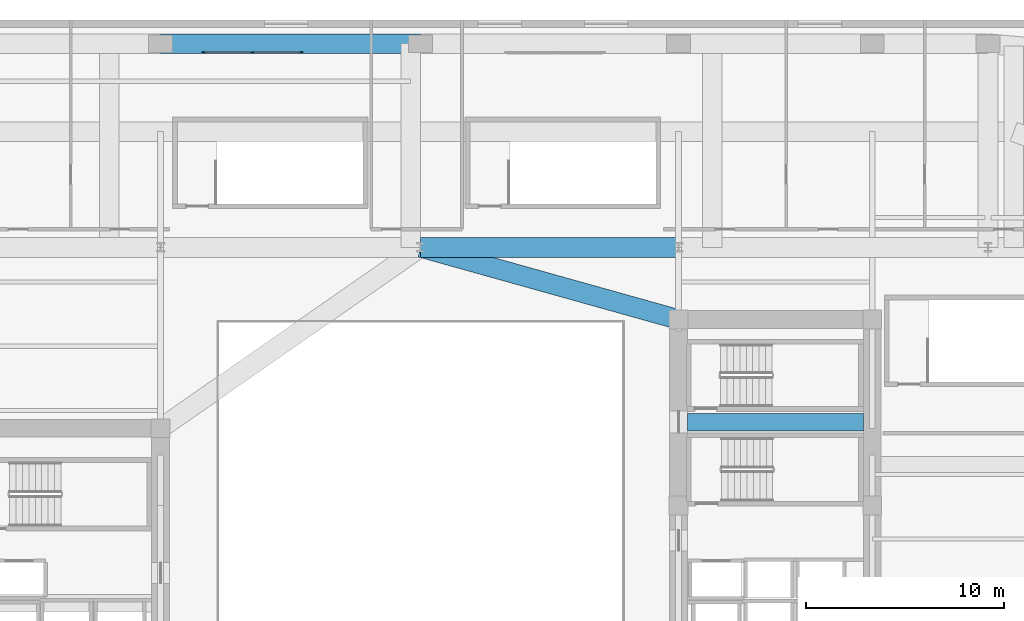
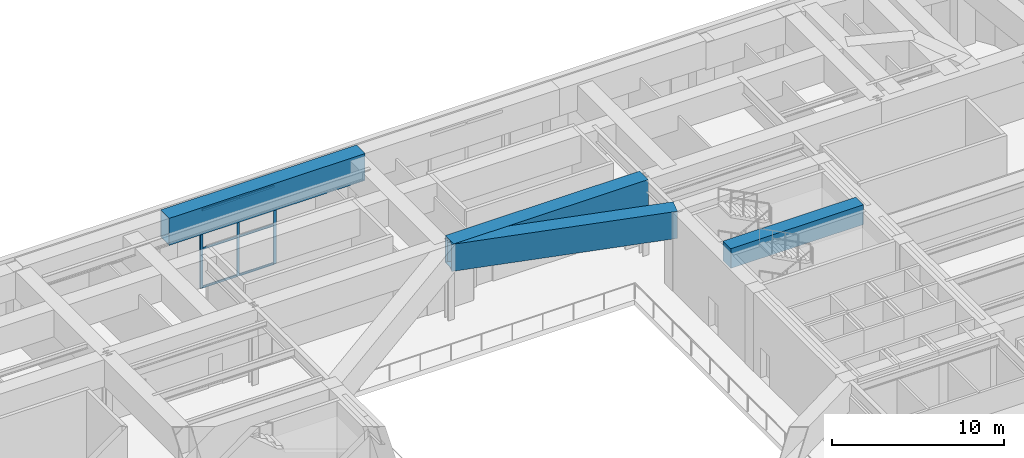
# One storey, part 3 of 16: 9 members, 4 beams, 1 element without a shape of its own.
"""IFC4 building model written with IfcOpenShell, lengths in metres."""

from ifc_helpers import new_model, si_unit, direction, frame, origin, origin_2d, place, context, subcontext, project, spatial, rectangle, hollow_rectangle, extrude, material, material_profile, profile_set, type_object, element, aggregate, save


model = new_model("IFC4")

# Units and contexts
model_context = context("Model", 3, precision=1e-05, world=origin(), true_north=direction((0.0, 1.0)))
body_context = subcontext(model_context, "Body", "Model", "MODEL_VIEW")
ifc_project = project(units=[si_unit("LENGTHUNIT", "METRE"), si_unit("AREAUNIT", "SQUARE_METRE"), si_unit("VOLUMEUNIT", "CUBIC_METRE"), si_unit("PLANEANGLEUNIT", "RADIAN"), si_unit("MASSUNIT", "GRAM", prefix="KILO")], contexts=[model_context])

# Site, building, storey
site_placement = place(None, origin())
site = spatial("IfcSite", under=ifc_project, at=site_placement, CompositionType="ELEMENT")
building_placement = place(site_placement, origin())
building = spatial("IfcBuilding", under=site, at=building_placement, Name="Kolvaren Arena Tower", CompositionType="ELEMENT")
storey_placement = place(building_placement, frame((0.0, 0.0, 28.0)))
storey = spatial("IfcBuildingStorey", under=building, at=storey_placement, Name="L05", CompositionType="ELEMENT", Elevation=28.0)

# Beam
ifc_material_1 = material(Name="Concrete 75 MPa", Category="concrete")
ifc_material_profile_1 = material_profile(ifc_material_1, rectangle(XDim=0.89990234375, YDim=1.39990234375, at=origin_2d()), Name="RC-900x1400")
ifc_profile_set_1 = profile_set([ifc_material_profile_1], Name="Concrete 75 MPa")
beam_type_1 = type_object("IfcBeamType", Name="CB-CORE-1", PredefinedType="BEAM", material=ifc_profile_set_1)
beam_1_placement = place(storey_placement, frame((51.0, 34.14990234375, 5.1201171875), z_axis=(1.0, 0.0, 0.0), x_axis=(0.0, 1.0, 0.0)))
element("IfcBeam", 1, at=beam_1_placement, inside=storey, type_object=beam_type_1, Name="East Core Coupling Beam (L05)", PredefinedType="BEAM", context=body_context, shape_type="SweptSolid", body=[
    extrude(rectangle(XDim=0.89990234375, YDim=1.39990234375, at=origin_2d()), origin(), (0.0, 0.0, 1.0), 8.89990234375),
])

# Curtain wall, members
ifc_material_2 = material(Name="Anodised aluminium unitised curtain wall", Category="aluminium")
curtain_wall_type = type_object("IfcCurtainWallType", Name="CW-SYS-06", PredefinedType="USERDEFINED", material=ifc_material_2)
curtain_wall_placement = place(storey_placement, origin())
curtain_wall = element("IfcCurtainWall", 2, at=curtain_wall_placement, inside=storey, type_object=curtain_wall_type, Name="Wintergarden Glazed Curtain Wall (L05)", ObjectType="UNITISED CURTAIN WALL", PredefinedType="USERDEFINED")
ifc_material_3 = material(Name="Anodised aluminium 6063-T6", Category="aluminium")
ifc_material_profile_2 = material_profile(ifc_material_3, rectangle(XDim=0.080078125, YDim=0.179931640625, at=origin_2d()), Name="ALU-80x180")
ifc_profile_set_2 = profile_set([ifc_material_profile_2], Name="Anodised aluminium 6063-T6")
member_type_1 = type_object("IfcMemberType", Name="CWM-STD", PredefinedType="MULLION", material=ifc_profile_set_2)
member_1_placement = place(storey_placement, frame((26.5400390625, 52.85009765625, 0.0), z_axis=(0.0, 0.0, 1.0), x_axis=(0.0, 1.0, 0.0)))
member_1 = element("IfcMember", 3, at=member_1_placement, type_object=member_type_1, Name="CW6 mullion 1", PredefinedType="MULLION", context=body_context, shape_type="SweptSolid", body=[
    extrude(rectangle(XDim=0.080078125, YDim=0.179931640625, at=origin_2d()), origin(), (0.0, 0.0, 1.0), 5.550048828125),
])
member_2_placement = place(storey_placement, frame((29.0, 52.85009765625, 0.0), z_axis=(0.0, 0.0, 1.0), x_axis=(0.0, 1.0, 0.0)))
member_2 = element("IfcMember", 4, at=member_2_placement, type_object=member_type_1, Name="CW6 mullion 2", PredefinedType="MULLION", context=body_context, shape_type="SweptSolid", body=[
    extrude(rectangle(XDim=0.080078125, YDim=0.179931640625, at=origin_2d()), origin(), (0.0, 0.0, 1.0), 5.550048828125),
])
member_3_placement = place(storey_placement, frame((31.4599609375, 52.85009765625, 0.0), z_axis=(0.0, 0.0, 1.0), x_axis=(0.0, 1.0, 0.0)))
member_3 = element("IfcMember", 5, at=member_3_placement, type_object=member_type_1, Name="CW6 mullion 3", PredefinedType="MULLION", context=body_context, shape_type="SweptSolid", body=[
    extrude(rectangle(XDim=0.080078125, YDim=0.179931640625, at=origin_2d()), origin(), (0.0, 0.0, 1.0), 5.550048828125),
])
ifc_material_profile_3 = material_profile(ifc_material_3, rectangle(XDim=0.080078125, YDim=0.14990234375, at=origin_2d()), Name="ALU-80x150")
ifc_profile_set_3 = profile_set([ifc_material_profile_3], Name="Anodised aluminium 6063-T6")
member_type_2 = type_object("IfcMemberType", Name="CWT-STD", PredefinedType="USERDEFINED", material=ifc_profile_set_3)
member_4_placement = place(storey_placement, frame((26.580078125, 52.85009765625, 0.0400390625), z_axis=(1.0, 0.0, 0.0), x_axis=(0.0, 1.0, 0.0)))
member_4 = element("IfcMember", 6, at=member_4_placement, type_object=member_type_2, Name="CW6 transom 1.1", ObjectType="TRANSOM", PredefinedType="USERDEFINED", context=body_context, shape_type="SweptSolid", body=[
    extrude(rectangle(XDim=0.080078125, YDim=0.14990234375, at=origin_2d()), origin(), (0.0, 0.0, 1.0), 2.3798828125),
])
member_5_placement = place(storey_placement, frame((26.580078125, 52.85009765625, 2.77490234375), z_axis=(1.0, 0.0, 0.0), x_axis=(0.0, 1.0, 0.0)))
member_5 = element("IfcMember", 7, at=member_5_placement, type_object=member_type_2, Name="CW6 transom 1.2", ObjectType="TRANSOM", PredefinedType="USERDEFINED", context=body_context, shape_type="SweptSolid", body=[
    extrude(rectangle(XDim=0.080078125, YDim=0.14990234375, at=origin_2d()), origin(), (0.0, 0.0, 1.0), 2.3798828125),
])
member_6_placement = place(storey_placement, frame((26.580078125, 52.85009765625, 5.510009765625), z_axis=(1.0, 0.0, 0.0), x_axis=(0.0, 1.0, 0.0)))
member_6 = element("IfcMember", 8, at=member_6_placement, type_object=member_type_2, Name="CW6 transom 1.3", ObjectType="TRANSOM", PredefinedType="USERDEFINED", context=body_context, shape_type="SweptSolid", body=[
    extrude(rectangle(XDim=0.080078125, YDim=0.14990234375, at=origin_2d()), origin(), (0.0, 0.0, 1.0), 2.3798828125),
])
member_7_placement = place(storey_placement, frame((29.0400390625, 52.85009765625, 0.0400390625), z_axis=(1.0, 0.0, 0.0), x_axis=(0.0, 1.0, 0.0)))
member_7 = element("IfcMember", 9, at=member_7_placement, type_object=member_type_2, Name="CW6 transom 2.1", ObjectType="TRANSOM", PredefinedType="USERDEFINED", context=body_context, shape_type="SweptSolid", body=[
    extrude(rectangle(XDim=0.080078125, YDim=0.14990234375, at=origin_2d()), origin(), (0.0, 0.0, 1.0), 2.3798828125),
])
member_8_placement = place(storey_placement, frame((29.0400390625, 52.85009765625, 2.77490234375), z_axis=(1.0, 0.0, 0.0), x_axis=(0.0, 1.0, 0.0)))
member_8 = element("IfcMember", 10, at=member_8_placement, type_object=member_type_2, Name="CW6 transom 2.2", ObjectType="TRANSOM", PredefinedType="USERDEFINED", context=body_context, shape_type="SweptSolid", body=[
    extrude(rectangle(XDim=0.080078125, YDim=0.14990234375, at=origin_2d()), origin(), (0.0, 0.0, 1.0), 2.3798828125),
])
member_9_placement = place(storey_placement, frame((29.0400390625, 52.85009765625, 5.510009765625), z_axis=(1.0, 0.0, 0.0), x_axis=(0.0, 1.0, 0.0)))
member_9 = element("IfcMember", 11, at=member_9_placement, type_object=member_type_2, Name="CW6 transom 2.3", ObjectType="TRANSOM", PredefinedType="USERDEFINED", context=body_context, shape_type="SweptSolid", body=[
    extrude(rectangle(XDim=0.080078125, YDim=0.14990234375, at=origin_2d()), origin(), (0.0, 0.0, 1.0), 2.3798828125),
])
aggregate(curtain_wall, [member_1, member_2, member_3, member_4, member_5, member_6, member_7, member_8, member_9])

# Beams
ifc_material_4 = material(Name="Steel CSA G40.21 350WT", Category="steel")
ifc_material_profile_4 = material_profile(ifc_material_4, hollow_rectangle(XDim=1.0, YDim=1.919921875, WallThickness=0.044921875, at=origin_2d()), Name="BOX 1000x1920x45")
ifc_profile_set_4 = profile_set([ifc_material_profile_4], Name="Steel CSA G40.21 350WT")
beam_type_2 = type_object("IfcBeamType", Name="TG-MEGA", PredefinedType="USERDEFINED", material=ifc_profile_set_4)
beam_2_placement = place(storey_placement, frame((37.5, 53.300048828125, 4.760009765625), z_axis=(-1.0, 0.0, 0.0), x_axis=(0.0, -1.0, 0.0)))
element("IfcBeam", 12, at=beam_2_placement, inside=storey, type_object=beam_type_2, Name="Podium Perimeter Transfer Girder 17", ObjectType="TRANSFER GIRDER", PredefinedType="USERDEFINED", context=body_context, shape_type="SweptSolid", body=[
    extrude(hollow_rectangle(XDim=1.0, YDim=1.919921875, WallThickness=0.044921875, at=origin_2d()), origin(), (0.0, 0.0, 1.0), 13.14990234375),
])
beam_3_placement = place(storey_placement, frame((37.5, 43.0, 4.590087890625), z_axis=(1.0, 0.0, 0.0), x_axis=(0.0, 1.0, 0.0)))
element("IfcBeam", 13, at=beam_3_placement, inside=storey, type_object=beam_type_2, Name="Interior Podium Transfer Girder 10", ObjectType="TRANSFER GIRDER", PredefinedType="USERDEFINED", context=body_context, shape_type="SweptSolid", body=[
    extrude(hollow_rectangle(XDim=1.0, YDim=1.919921875, WallThickness=0.044921875, at=origin_2d()), origin(), (0.0, 0.0, 1.0), 13.050048828125),
])
beam_4_placement = place(storey_placement, frame((50.550048828125, 39.35009765625, 4.590087890625), z_axis=(-0.963042754579, 0.269348571286, 0.0), x_axis=(-0.269348571286, -0.963042754579, 0.0)))
element("IfcBeam", 14, at=beam_4_placement, inside=storey, type_object=beam_type_2, Name="Mega-Transfer A-Frame Base Support Girder 4 (L05)", ObjectType="TRANSFER GIRDER", PredefinedType="USERDEFINED", context=body_context, shape_type="SweptSolid", body=[
    extrude(hollow_rectangle(XDim=1.0, YDim=1.919921875, WallThickness=0.044921875, at=origin_2d()), origin(), (0.0, 0.0, 1.0), 13.55078125),
])

save(model, "model.ifc")
